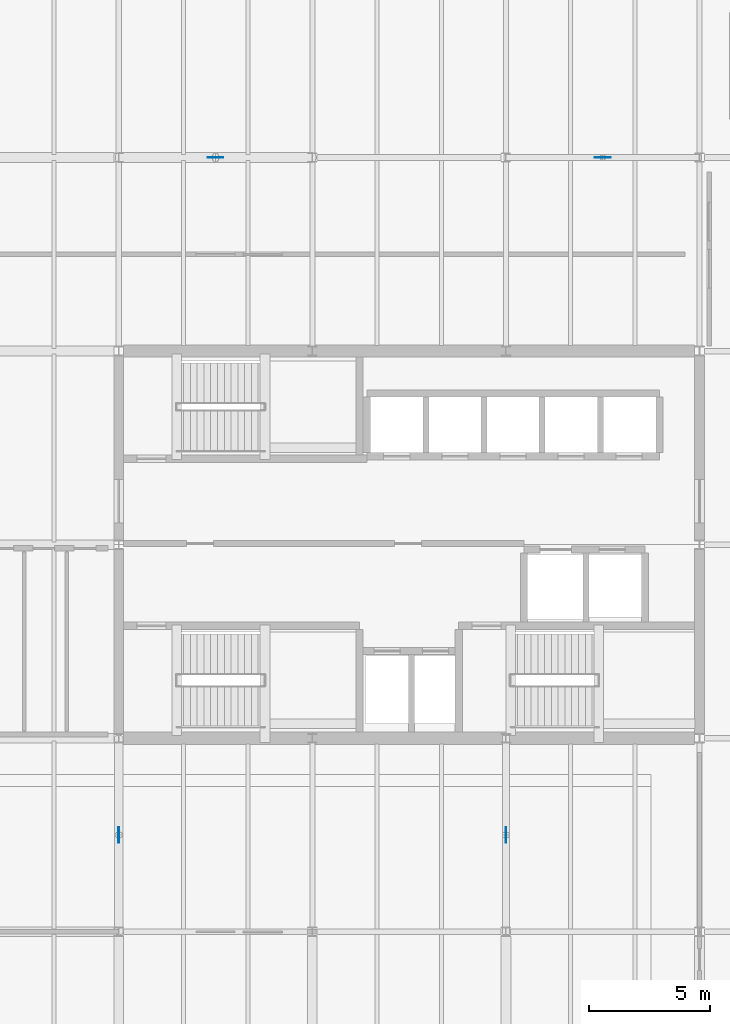
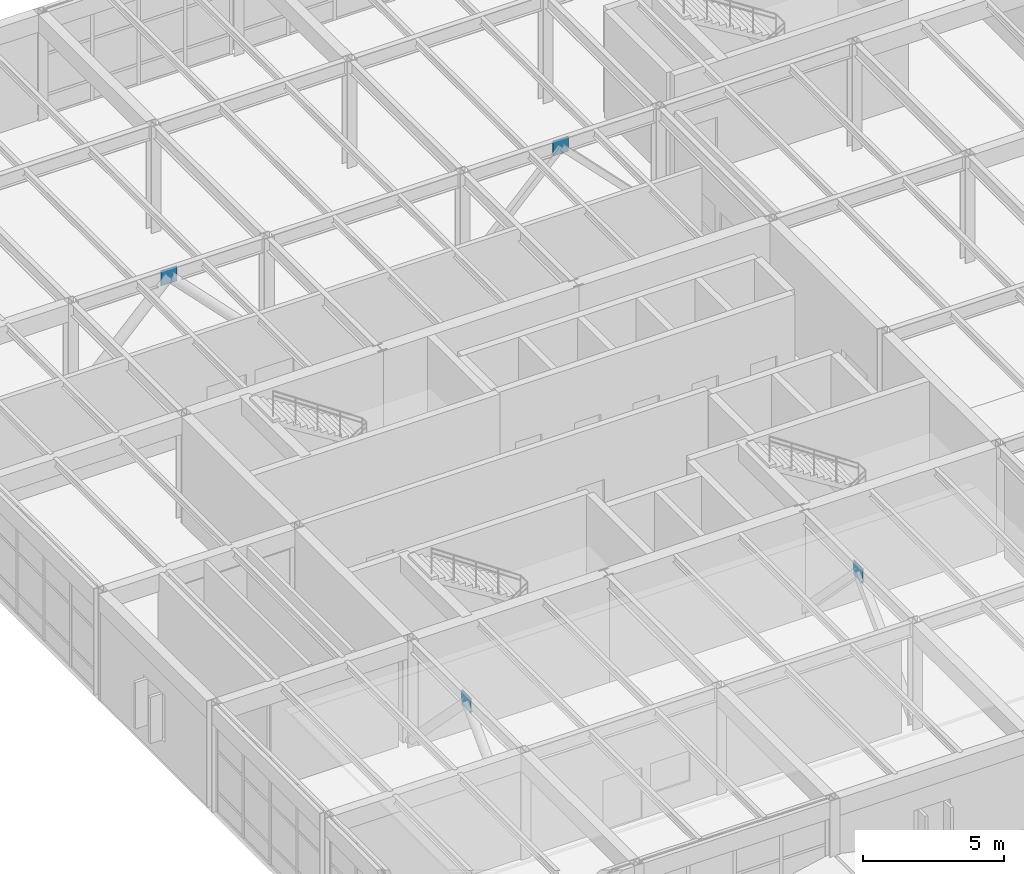
# One storey, part 40 of 60: 4 plates.
"""IFC4 building model written with IfcOpenShell, lengths in metres."""

from ifc_helpers import new_model, si_unit, direction, frame, origin, origin_2d, place, context, subcontext, project, spatial, rectangle, extrude, material, layer, layer_set, type_object, element, save


model = new_model("IFC4")

# Units and contexts
model_context = context("Model", 3, precision=1e-05, world=origin(), true_north=direction((0.0, 1.0)))
body_context = subcontext(model_context, "Body", "Model", "MODEL_VIEW")
ifc_project = project(units=[si_unit("LENGTHUNIT", "METRE"), si_unit("AREAUNIT", "SQUARE_METRE"), si_unit("VOLUMEUNIT", "CUBIC_METRE"), si_unit("PLANEANGLEUNIT", "RADIAN"), si_unit("MASSUNIT", "GRAM", prefix="KILO")], contexts=[model_context])

# Site, building, storey
site_placement = place(None, origin())
site = spatial("IfcSite", under=ifc_project, at=site_placement, CompositionType="ELEMENT")
building_placement = place(site_placement, origin())
building = spatial("IfcBuilding", under=site, at=building_placement, Name="Varnela Railside Interchange", CompositionType="ELEMENT")
storey_placement = place(building_placement, frame((0.0, 0.0, 6.300048828125)))
storey = spatial("IfcBuildingStorey", under=building, at=storey_placement, Name="L01", CompositionType="ELEMENT", Elevation=6.300048828125)

# Plates
ifc_material = material(Name="Steel AR 350 (350 MPa)", Category="steel")
ifc_layer = layer(ifc_material, 0.64990234375)
ifc_layer_set = layer_set([ifc_layer], Name="Steel AR 350 (350 MPa)")
plate_type = type_object("IfcPlateType", Name="Brace Gusset Plate GP-01", PredefinedType="SHEET", material=ifc_layer_set)
for number, where, z_axis, x_axis, name in (
    (1, (16.0, 78.0, 3.925048828125), (0.0, 0.0, 1.0), (1.0, 0.0, 0.0), "Brace Gusset Plate GP-01 (L01) (PL-013)"),
    (2, (32.0, 78.0, 3.925048828125), (0.0, 0.0, 1.0), (1.0, 0.0, 0.0), "Brace Gusset Plate GP-01 (L01) (PL-014)"),
    (3, (12.0, 50.0, 3.925048828125), (0.0, 0.0, 1.0), (0.0, 1.0, 0.0), "Brace Gusset Plate GP-01 (L01) (PL-015)"),
    (4, (28.0, 50.0, 3.925048828125), (0.0, 0.0, 1.0), (0.0, 1.0, 0.0), "Brace Gusset Plate GP-01 (L01) (PL-016)"),
):
    element("IfcPlate", number, at=place(storey_placement, frame(where, z_axis=z_axis, x_axis=x_axis)), inside=storey, type_object=plate_type, Name=name, PredefinedType="SHEET", context=body_context, shape_type="SweptSolid", body=[
        extrude(rectangle(XDim=0.64990234375, YDim=0.030029296875, at=origin_2d()), origin(), (0.0, 0.0, 1.0), 0.64990234375),
    ])

save(model, "model.ifc")
